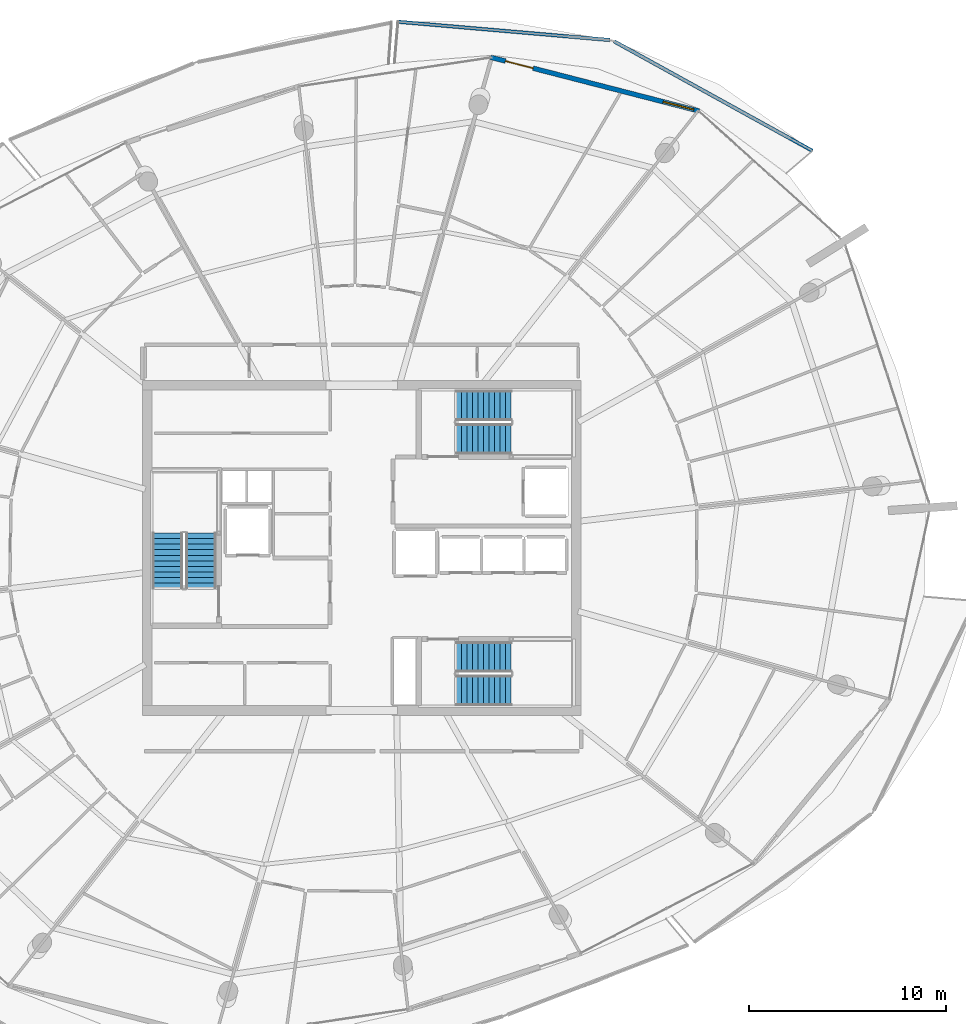
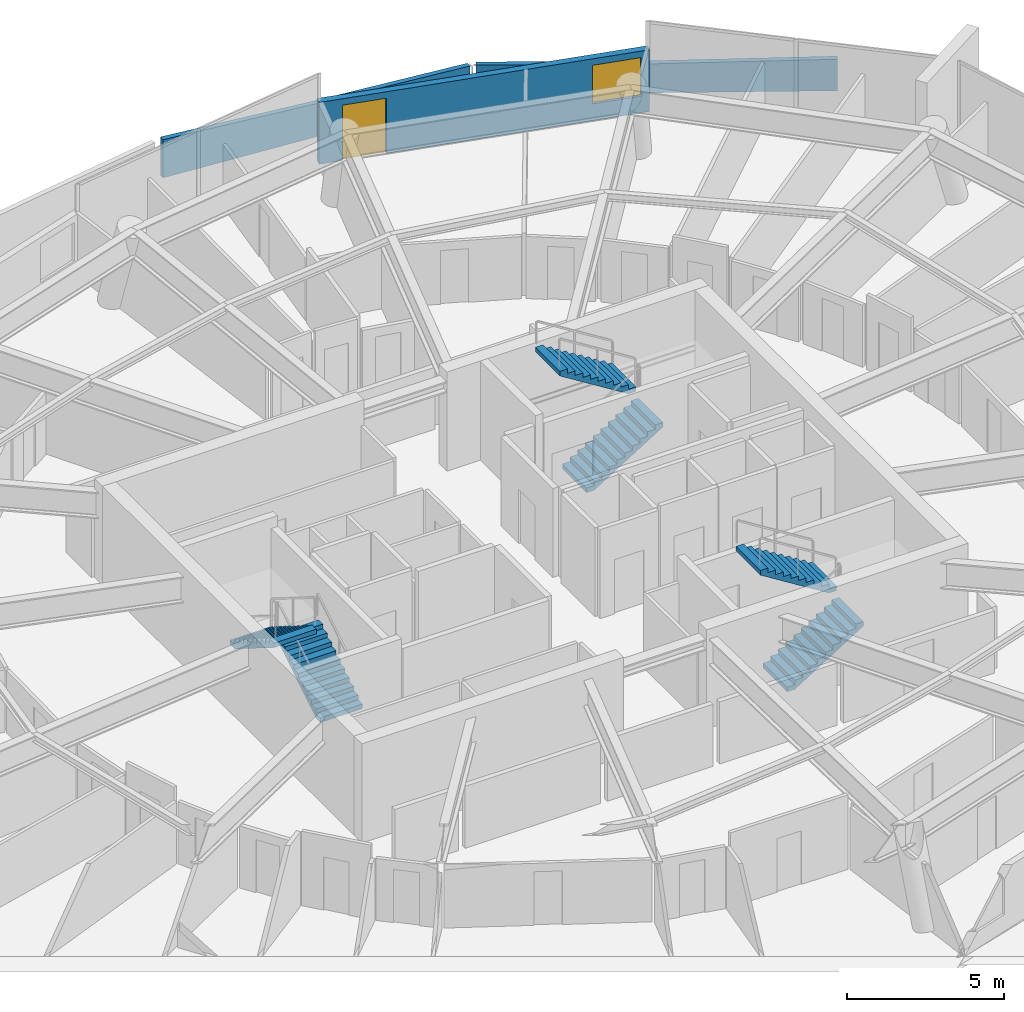
# One storey, part 21 of 27: 6 stair flights, 3 walls, 1 door, 1 window, 2 openings, 3 elements without a shape of their own.
"""IFC4 building model written with IfcOpenShell, lengths in metres."""

from ifc_helpers import new_model, si_unit, direction, frame, frame_2d, origin, place, context, subcontext, project, spatial, polyline, rectangle, outline, extrude, material, layer, layer_set, type_object, element, fill, aggregate, save


model = new_model("IFC4")

# Units and contexts
model_context = context("Model", 3, precision=1e-05, world=origin(), true_north=direction((0.0, 1.0)))
body_context = subcontext(model_context, "Body", "Model", "MODEL_VIEW")
ifc_project = project(units=[si_unit("LENGTHUNIT", "METRE"), si_unit("AREAUNIT", "SQUARE_METRE"), si_unit("VOLUMEUNIT", "CUBIC_METRE"), si_unit("PLANEANGLEUNIT", "RADIAN"), si_unit("MASSUNIT", "GRAM", prefix="KILO")], contexts=[model_context])

# Site, building, storey
site_placement = place(None, origin())
site = spatial("IfcSite", under=ifc_project, at=site_placement, CompositionType="ELEMENT")
building_placement = place(site_placement, origin())
building = spatial("IfcBuilding", under=site, at=building_placement, Name="Kazma Halo Residences", CompositionType="ELEMENT")
storey_placement = place(building_placement, frame((0.0, 0.0, 306.0)))
storey = spatial("IfcBuildingStorey", under=building, at=storey_placement, Name="L77", CompositionType="ELEMENT", Elevation=306.0)

# Walls
ifc_material_1 = material(Name="White Concrete C50/60 Balustrade", Category="concrete")
ifc_layer_1 = layer(ifc_material_1, 0.179931640625)
ifc_layer_set_1 = layer_set([ifc_layer_1], Name="White Concrete C50/60 Balustrade")
wall_type_1 = type_object("IfcWallType", Name="WL-BAL-WAVE-180", PredefinedType="PARAPET", material=ifc_layer_set_1)
wall_1_placement = place(storey_placement, frame((71.2861328125, 62.135498046875, 0.0), z_axis=(0.0, 0.0, 1.0), x_axis=(-0.87546271408, 0.483285667339, 0.0)))
element("IfcWall", 1, at=wall_1_placement, inside=storey, type_object=wall_type_1, Name="L77 white wave balustrade wall NE.1", PredefinedType="PARAPET", context=body_context, shape_type="SweptSolid", body=[
    extrude(outline(polyline([(0.0, 0.0), (11.4931640625, 0.0), (11.4931640625, 1.14794921875), (5.74658203125, 1.126953125), (0.0, 1.22412109375), (0.0, 0.0)])), frame((0.0, 0.08984375, 0.0), z_axis=(0.0, -1.0, 0.0), x_axis=(1.0, 0.0, 0.0)), (0.0, 0.0, 1.0), 0.179931640625),
])
wall_2_placement = place(storey_placement, frame((60.99951171875, 67.75830078125, 0.0), z_axis=(0.0, 0.0, 1.0), x_axis=(-0.996302227994, 0.085917812439, 0.0)))
element("IfcWall", 2, at=wall_2_placement, inside=storey, type_object=wall_type_1, Name="L77 white wave balustrade wall NE.2", PredefinedType="PARAPET", context=body_context, shape_type="SweptSolid", body=[
    extrude(outline(polyline([(0.0, 0.0), (10.775146484375, 0.0), (10.775390625, 1.48291015625), (5.3876953125, 1.283935546875), (0.0, 1.14794921875), (0.0, 0.0)])), frame((0.0, 0.08984375, 0.0), z_axis=(0.0, -1.0, 0.0), x_axis=(1.0, 0.0, 0.0)), (0.0, 0.0, 1.0), 0.179931640625),
])

# Wall, openings, door, window
ifc_material_2 = material(Name="Insulated Pale-Metal Composite Wall")
ifc_layer_2 = layer(ifc_material_2, 0.239990234375)
ifc_layer_set_2 = layer_set([ifc_layer_2], Name="Insulated Pale-Metal Composite Wall")
wall_type_2 = type_object("IfcWallType", Name="WL-EXT-HOST-240", PredefinedType="SOLIDWALL", material=ifc_layer_set_2)
wall_3_placement = place(storey_placement, frame((65.52783203125, 64.159912109375, 0.0), z_axis=(0.0, 0.0, 1.0), x_axis=(-0.968356587255, 0.249570671195, 0.0)))
wall_3 = element("IfcWall", 3, at=wall_3_placement, inside=storey, type_object=wall_type_2, Name="L77 exterior terrace-access wall B02", PredefinedType="SOLIDWALL", context=body_context, shape_type="SweptSolid", body=[
    extrude(rectangle(XDim=10.907470703125, YDim=0.239990234375, at=frame_2d((5.45361328125, 0.0))), origin(), (0.0, 0.0, 1.0), 2.39990234375),
])
opening_1_placement = place(wall_3_placement, frame((8.6875, 0.0, 0.0)))
opening_1 = element("IfcOpeningElement", 4, at=opening_1_placement, cuts=wall_3, Name="Opening DTR-1600", PredefinedType="OPENING", context=body_context, shape_type="SweptSolid", body=[
    extrude(rectangle(XDim=1.449951171875, YDim=2.14990234375, at=frame_2d((0.72509765625, 1.074951171875))), frame((0.0, 0.1298828125, 0.0), z_axis=(0.0, -1.0, 0.0), x_axis=(1.0, 0.0, 0.0)), (0.0, 0.0, 1.0), 0.260009765625),
])
opening_2_placement = place(wall_3_placement, frame((0.280029296875, 0.0, 0.64990234375)))
opening_2 = element("IfcOpeningElement", 5, at=opening_2_placement, cuts=wall_3, Name="Opening W-1800", PredefinedType="OPENING", context=body_context, shape_type="SweptSolid", body=[
    extrude(rectangle(XDim=1.60009765625, YDim=1.5, at=frame_2d((0.800048828125, 0.75))), frame((0.0, 0.1298828125, 0.0), z_axis=(0.0, -1.0, 0.0), x_axis=(1.0, 0.0, 0.0)), (0.0, 0.0, 1.0), 0.260009765625),
])
ifc_material_3 = material(Name="Aluminium AW-6063 T6 Double-Glazed Terrace Door", Category="aluminium")
door_type = type_object("IfcDoorType", Name="DR-EXT-TERR-1600", OperationType="NOTDEFINED", PredefinedType="DOOR", material=ifc_material_3)
door_placement = place(opening_1_placement, origin())
door = element("IfcDoor", 6, at=door_placement, inside=storey, type_object=door_type, Name="L77 B02 balcony terrace door", OperationType="DOUBLE_DOOR_SLIDING", OverallHeight=2.14990234375, OverallWidth=1.449951171875, PredefinedType="DOOR", context=body_context, shape_type="SweptSolid", body=[
    extrude(rectangle(XDim=1.449951171875, YDim=2.14990234375, at=frame_2d((0.72509765625, 1.074951171875))), frame((0.0, 0.02490234375, 0.0), z_axis=(0.0, -1.0, 0.0), x_axis=(1.0, 0.0, 0.0)), (0.0, 0.0, 1.0), 0.050048828125),
])
fill(opening_1, door)
ifc_material_4 = material(Name="Clear Triple-Silver Low-E Glass in Aluminium AW-6063 T6 Frame", Category="aluminium")
window_type = type_object("IfcWindowType", Name="WIN-RES-1800", PartitioningType="DOUBLE_PANEL_VERTICAL", PredefinedType="WINDOW", material=ifc_material_4)
window_placement = place(opening_2_placement, origin())
window = element("IfcWindow", 7, at=window_placement, inside=storey, type_object=window_type, Name="L77 B02 apartment window", OverallHeight=1.5, OverallWidth=1.60009765625, PartitioningType="SINGLE_PANEL", PredefinedType="WINDOW", context=body_context, shape_type="SweptSolid", body=[
    extrude(rectangle(XDim=1.60009765625, YDim=1.5, at=frame_2d((0.800048828125, 0.75))), frame((0.0, 0.030029296875, 0.0), z_axis=(0.0, -1.0, 0.0), x_axis=(1.0, 0.0, 0.0)), (0.0, 0.0, 1.0), 0.06005859375),
])
fill(opening_2, window)

# Stair, stair flights
ifc_material_5 = material(Name="Concrete C50/60", Category="concrete")
stair_type = type_object("IfcStairType", Name="STR-RES2", PredefinedType="HALF_TURN_STAIR", material=ifc_material_5)
stair_1_placement = place(storey_placement, origin())
stair_1 = element("IfcStair", 8, at=stair_1_placement, inside=storey, type_object=stair_type, Name="L77 Core exit stair ST-01", PredefinedType="HALF_TURN_STAIR")
stair_flight_type = type_object("IfcStairFlightType", Name="STR-RES2-FLT", PredefinedType="STRAIGHT", material=ifc_material_5)
stair_flight_1_placement = place(storey_placement, frame((40.27490234375, 39.949951171875, 0.0), z_axis=(0.0, 0.0, 1.0), x_axis=(0.0, 1.0, 0.0)))
stair_flight_1 = element("IfcStairFlight", 9, at=stair_flight_1_placement, type_object=stair_flight_type, Name="ST-01 flight 1", NumberOfRisers=11, NumberOfTreads=10, PredefinedType="STRAIGHT", RiserHeight=0.175, TreadLength=0.28, context=body_context, shape_type="SweptSolid", body=[
    extrude(outline(polyline([(0.0, 0.0), (0.0, 0.175048828125), (0.280029296875, 0.175048828125), (0.280029296875, 0.35009765625), (0.56005859375, 0.35009765625), (0.56005859375, 0.52490234375), (0.840087890625, 0.52490234375), (0.840087890625, 0.699951171875), (1.1201171875, 0.699951171875), (1.1201171875, 0.875), (1.39990234375, 0.875), (1.39990234375, 1.050048828125), (1.679931640625, 1.050048828125), (1.679931640625, 1.22509765625), (1.9599609375, 1.22509765625), (1.9599609375, 1.39990234375), (2.239990234375, 1.39990234375), (2.239990234375, 1.574951171875), (2.52001953125, 1.574951171875), (2.52001953125, 1.75), (2.800048828125, 1.75), (2.800048828125, 1.925048828125), (2.800048828125, 1.5732421875), (0.28271484375, 0.0), (0.0, 0.0)])), frame((0.0, 0.77490234375, 0.0), z_axis=(0.0, -1.0, 0.0), x_axis=(1.0, 0.0, 0.0)), (0.0, 0.0, 1.0), 1.550048828125),
])
stair_flight_2_placement = place(storey_placement, frame((38.574951171875, 42.75, 1.925048828125), z_axis=(0.0, 0.0, 1.0), x_axis=(0.0, -1.0, 0.0)))
stair_flight_2 = element("IfcStairFlight", 10, at=stair_flight_2_placement, type_object=stair_flight_type, Name="ST-01 flight 2", NumberOfRisers=11, NumberOfTreads=10, PredefinedType="STRAIGHT", RiserHeight=0.175, TreadLength=0.28, context=body_context, shape_type="SweptSolid", body=[
    extrude(outline(polyline([(0.0, 0.0), (0.0, 0.175048828125), (0.280029296875, 0.175048828125), (0.280029296875, 0.35009765625), (0.56005859375, 0.35009765625), (0.56005859375, 0.52490234375), (0.840087890625, 0.52490234375), (0.840087890625, 0.699951171875), (1.1201171875, 0.699951171875), (1.1201171875, 0.875), (1.39990234375, 0.875), (1.39990234375, 1.050048828125), (1.679931640625, 1.050048828125), (1.679931640625, 1.22509765625), (1.9599609375, 1.22509765625), (1.9599609375, 1.39990234375), (2.239990234375, 1.39990234375), (2.239990234375, 1.574951171875), (2.52001953125, 1.574951171875), (2.52001953125, 1.75), (2.800048828125, 1.75), (2.800048828125, 1.925048828125), (2.800048828125, 1.5732421875), (0.28271484375, 0.0), (0.0, 0.0)])), frame((0.0, 0.77490234375, 0.0), z_axis=(0.0, -1.0, 0.0), x_axis=(1.0, 0.0, 0.0)), (0.0, 0.0, 1.0), 1.550048828125),
])
aggregate(stair_1, [stair_flight_1, stair_flight_2])

stair_2_placement = place(storey_placement, origin())
stair_2 = element("IfcStair", 11, at=stair_2_placement, inside=storey, type_object=stair_type, Name="L77 Core exit stair ST-02", PredefinedType="HALF_TURN_STAIR")
stair_flight_3_placement = place(storey_placement, frame((53.199951171875, 47.52490234375, 0.0), z_axis=(0.0, 0.0, 1.0), x_axis=(1.0, 0.0, 0.0)))
stair_flight_3 = element("IfcStairFlight", 12, at=stair_flight_3_placement, type_object=stair_flight_type, Name="ST-02 flight 1", NumberOfRisers=11, NumberOfTreads=10, PredefinedType="STRAIGHT", RiserHeight=0.175, TreadLength=0.28, context=body_context, shape_type="SweptSolid", body=[
    extrude(outline(polyline([(0.0, 0.0), (0.0, 0.175048828125), (0.280029296875, 0.175048828125), (0.280029296875, 0.35009765625), (0.56005859375, 0.35009765625), (0.56005859375, 0.52490234375), (0.840087890625, 0.52490234375), (0.840087890625, 0.699951171875), (1.1201171875, 0.699951171875), (1.1201171875, 0.875), (1.39990234375, 0.875), (1.39990234375, 1.050048828125), (1.679931640625, 1.050048828125), (1.679931640625, 1.22509765625), (1.9599609375, 1.22509765625), (1.9599609375, 1.39990234375), (2.239990234375, 1.39990234375), (2.239990234375, 1.574951171875), (2.52001953125, 1.574951171875), (2.52001953125, 1.75), (2.800048828125, 1.75), (2.800048828125, 1.925048828125), (2.800048828125, 1.5732421875), (0.28271484375, 0.0), (0.0, 0.0)])), frame((0.0, 0.77490234375, 0.0), z_axis=(0.0, -1.0, 0.0), x_axis=(1.0, 0.0, 0.0)), (0.0, 0.0, 1.0), 1.550048828125),
])
stair_flight_4_placement = place(storey_placement, frame((56.0, 49.22509765625, 1.925048828125), z_axis=(0.0, 0.0, 1.0), x_axis=(-1.0, 0.0, 0.0)))
stair_flight_4 = element("IfcStairFlight", 13, at=stair_flight_4_placement, type_object=stair_flight_type, Name="ST-02 flight 2", NumberOfRisers=11, NumberOfTreads=10, PredefinedType="STRAIGHT", RiserHeight=0.175, TreadLength=0.28, context=body_context, shape_type="SweptSolid", body=[
    extrude(outline(polyline([(0.0, 0.0), (0.0, 0.175048828125), (0.280029296875, 0.175048828125), (0.280029296875, 0.35009765625), (0.56005859375, 0.35009765625), (0.56005859375, 0.52490234375), (0.840087890625, 0.52490234375), (0.840087890625, 0.699951171875), (1.1201171875, 0.699951171875), (1.1201171875, 0.875), (1.39990234375, 0.875), (1.39990234375, 1.050048828125), (1.679931640625, 1.050048828125), (1.679931640625, 1.22509765625), (1.9599609375, 1.22509765625), (1.9599609375, 1.39990234375), (2.239990234375, 1.39990234375), (2.239990234375, 1.574951171875), (2.52001953125, 1.574951171875), (2.52001953125, 1.75), (2.800048828125, 1.75), (2.800048828125, 1.925048828125), (2.800048828125, 1.5732421875), (0.28271484375, 0.0), (0.0, 0.0)])), frame((0.0, 0.77490234375, 0.0), z_axis=(0.0, -1.0, 0.0), x_axis=(1.0, 0.0, 0.0)), (0.0, 0.0, 1.0), 1.550048828125),
])
aggregate(stair_2, [stair_flight_3, stair_flight_4])

stair_3_placement = place(storey_placement, origin())
stair_3 = element("IfcStair", 14, at=stair_3_placement, inside=storey, type_object=stair_type, Name="L77 Core exit stair ST-03", PredefinedType="HALF_TURN_STAIR")
stair_flight_5_placement = place(storey_placement, frame((53.199951171875, 34.77490234375, 0.0), z_axis=(0.0, 0.0, 1.0), x_axis=(1.0, 0.0, 0.0)))
stair_flight_5 = element("IfcStairFlight", 15, at=stair_flight_5_placement, type_object=stair_flight_type, Name="ST-03 flight 1", NumberOfRisers=11, NumberOfTreads=10, PredefinedType="STRAIGHT", RiserHeight=0.175, TreadLength=0.28, context=body_context, shape_type="SweptSolid", body=[
    extrude(outline(polyline([(0.0, 0.0), (0.0, 0.175048828125), (0.280029296875, 0.175048828125), (0.280029296875, 0.35009765625), (0.56005859375, 0.35009765625), (0.56005859375, 0.52490234375), (0.840087890625, 0.52490234375), (0.840087890625, 0.699951171875), (1.1201171875, 0.699951171875), (1.1201171875, 0.875), (1.39990234375, 0.875), (1.39990234375, 1.050048828125), (1.679931640625, 1.050048828125), (1.679931640625, 1.22509765625), (1.9599609375, 1.22509765625), (1.9599609375, 1.39990234375), (2.239990234375, 1.39990234375), (2.239990234375, 1.574951171875), (2.52001953125, 1.574951171875), (2.52001953125, 1.75), (2.800048828125, 1.75), (2.800048828125, 1.925048828125), (2.800048828125, 1.5732421875), (0.28271484375, 0.0), (0.0, 0.0)])), frame((0.0, 0.77490234375, 0.0), z_axis=(0.0, -1.0, 0.0), x_axis=(1.0, 0.0, 0.0)), (0.0, 0.0, 1.0), 1.550048828125),
])
stair_flight_6_placement = place(storey_placement, frame((56.0, 36.47509765625, 1.925048828125), z_axis=(0.0, 0.0, 1.0), x_axis=(-1.0, 0.0, 0.0)))
stair_flight_6 = element("IfcStairFlight", 16, at=stair_flight_6_placement, type_object=stair_flight_type, Name="ST-03 flight 2", NumberOfRisers=11, NumberOfTreads=10, PredefinedType="STRAIGHT", RiserHeight=0.175, TreadLength=0.28, context=body_context, shape_type="SweptSolid", body=[
    extrude(outline(polyline([(0.0, 0.0), (0.0, 0.175048828125), (0.280029296875, 0.175048828125), (0.280029296875, 0.35009765625), (0.56005859375, 0.35009765625), (0.56005859375, 0.52490234375), (0.840087890625, 0.52490234375), (0.840087890625, 0.699951171875), (1.1201171875, 0.699951171875), (1.1201171875, 0.875), (1.39990234375, 0.875), (1.39990234375, 1.050048828125), (1.679931640625, 1.050048828125), (1.679931640625, 1.22509765625), (1.9599609375, 1.22509765625), (1.9599609375, 1.39990234375), (2.239990234375, 1.39990234375), (2.239990234375, 1.574951171875), (2.52001953125, 1.574951171875), (2.52001953125, 1.75), (2.800048828125, 1.75), (2.800048828125, 1.925048828125), (2.800048828125, 1.5732421875), (0.28271484375, 0.0), (0.0, 0.0)])), frame((0.0, 0.77490234375, 0.0), z_axis=(0.0, -1.0, 0.0), x_axis=(1.0, 0.0, 0.0)), (0.0, 0.0, 1.0), 1.550048828125),
])
aggregate(stair_3, [stair_flight_5, stair_flight_6])

save(model, "model.ifc")
